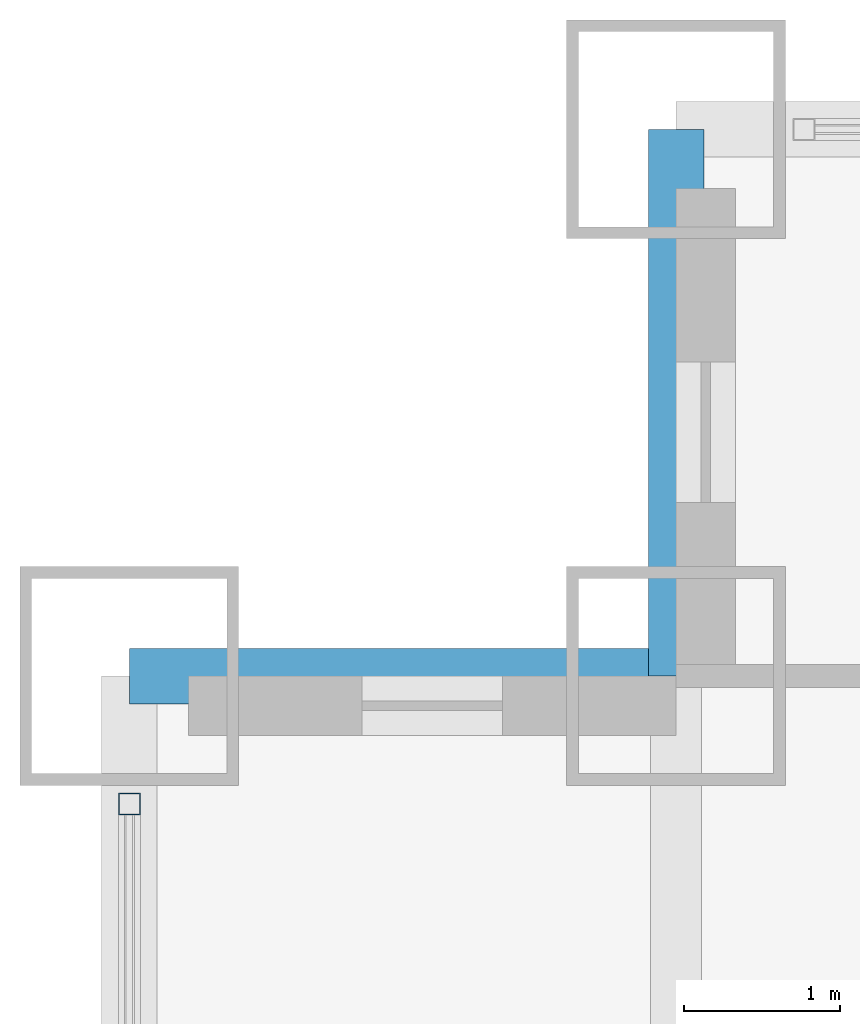
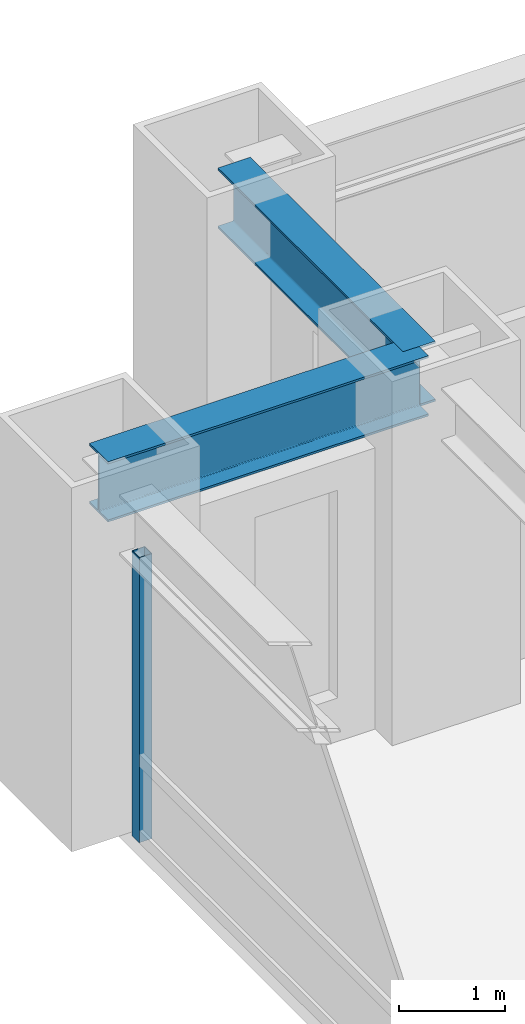
# One storey, part 14 of 27: 2 beams, 1 member, 1 element without a shape of its own.
"""IFC4 building model written with IfcOpenShell, lengths in metres."""

from ifc_helpers import new_model, si_unit, direction, frame, origin, origin_2d, place, context, subcontext, project, spatial, hollow_rectangle, i_section, extrude, source, transform, mapped, material, material_profile, profile_set, type_object, element, aggregate, save


model = new_model("IFC4")

# Units and contexts
model_context = context("Model", 3, precision=1e-05, world=origin(), true_north=direction((0.0, 1.0)))
body_context = subcontext(model_context, "Body", "Model", "MODEL_VIEW")
ifc_project = project(units=[si_unit("LENGTHUNIT", "METRE"), si_unit("AREAUNIT", "SQUARE_METRE"), si_unit("VOLUMEUNIT", "CUBIC_METRE"), si_unit("PLANEANGLEUNIT", "RADIAN"), si_unit("MASSUNIT", "GRAM", prefix="KILO")], contexts=[model_context])

# Site, building, storey
site_placement = place(None, origin())
site = spatial("IfcSite", under=ifc_project, at=site_placement, CompositionType="ELEMENT")
building_placement = place(site_placement, origin())
building = spatial("IfcBuilding", under=site, at=building_placement, Name="Khorayat Bourse Tower", CompositionType="ELEMENT")
storey_placement = place(building_placement, frame((0.0, 0.0, 53.60009765625)))
storey = spatial("IfcBuildingStorey", under=building, at=storey_placement, Name="L11", CompositionType="ELEMENT", Elevation=53.60009765625)

# Beams
ifc_material_1 = material(Name="Steel ASTM A992 Grade 50", Category="steel")
ifc_material_profile_1 = material_profile(ifc_material_1, i_section(OverallWidth=0.35498046875, OverallDepth=0.695068359375, WebThickness=0.015380859375, FlangeThickness=0.02490234375, FilletRadius=0.01806640625, at=origin_2d()), Name="W690X217")
ifc_profile_set_1 = profile_set([ifc_material_profile_1], Name="Steel ASTM A992 Grade 50")
beam_type = type_object("IfcBeamType", Name="BM-SPAN-690", PredefinedType="SPANDREL", material=ifc_profile_set_1)
shared_shape_1 = source(origin(), body_context, "Body", "SweptSolid", [
    extrude(i_section(OverallWidth=0.35498046875, OverallDepth=0.695068359375, WebThickness=0.015380859375, FlangeThickness=0.02490234375, FilletRadius=0.01806640625, at=origin_2d()), origin(), (0.0, 0.0, 1.0), 3.5),
])
for number, where, z_axis, x_axis, name in (
    (1, (-28.5, 28.5, 3.59228515625), (0.0, 1.0, 0.0), (-1.0, 0.0, 0.0), "L11 BM-SPAN-690 BM-L11-SPN-052"),
    (2, (-32.0, 28.5, 3.59228515625), (1.0, 0.0, 0.0), (0.0, 1.0, 0.0), "L11 BM-SPAN-690 BM-L11-SPN-053"),
):
    element("IfcBeam", number, at=place(storey_placement, frame(where, z_axis=z_axis, x_axis=x_axis)), inside=storey, type_object=beam_type, Name=name, PredefinedType="SPANDREL", context=body_context, shape_type="MappedRepresentation", body=[
        mapped(shared_shape_1, transform((0.0, 0.0, 0.0), scale=1.0)),
    ])

# Curtain wall, member
ifc_material_2 = material(Name="Aluminium EN AW-6063 T6", Category="aluminium")
curtain_wall_type = type_object("IfcCurtainWallType", Name="CW-SYS-02", PredefinedType="NOTDEFINED", material=ifc_material_2)
curtain_wall_placement = place(storey_placement, origin())
curtain_wall = element("IfcCurtainWall", 3, at=curtain_wall_placement, inside=storey, type_object=curtain_wall_type, Name="L11 Curtain Wall CW-L11-W1", PredefinedType="NOTDEFINED")
ifc_material_profile_2 = material_profile(ifc_material_2, hollow_rectangle(XDim=0.139892578125, YDim=0.139892578125, WallThickness=0.006103515625, at=origin_2d()), Name="ALU 140x140x6")
ifc_profile_set_2 = profile_set([ifc_material_profile_2], Name="Aluminium EN AW-6063 T6")
member_type = type_object("IfcMemberType", Name="CWM-VERT-140", PredefinedType="MULLION", material=ifc_profile_set_2)
shared_shape_2 = source(origin(), body_context, "Body", "SweptSolid", [
    extrude(hollow_rectangle(XDim=0.139892578125, YDim=0.139892578125, WallThickness=0.006103515625, at=origin_2d()), origin(), (0.0, 0.0, 1.0), 3.289794921875),
])
member_placement = place(storey_placement, frame((-32.0, 27.679931640625, 0.0), z_axis=(0.0, 0.0, 1.0), x_axis=(-1.0, 0.0, 0.0)))
member = element("IfcMember", 4, at=member_placement, type_object=member_type, Name="CW-L11-W1 Vertical Mullion 4", PredefinedType="MULLION", context=body_context, shape_type="MappedRepresentation", body=[
    mapped(shared_shape_2, transform((0.0, 0.0, 0.0), scale=1.0)),
])
aggregate(curtain_wall, [member])

save(model, "model.ifc")
